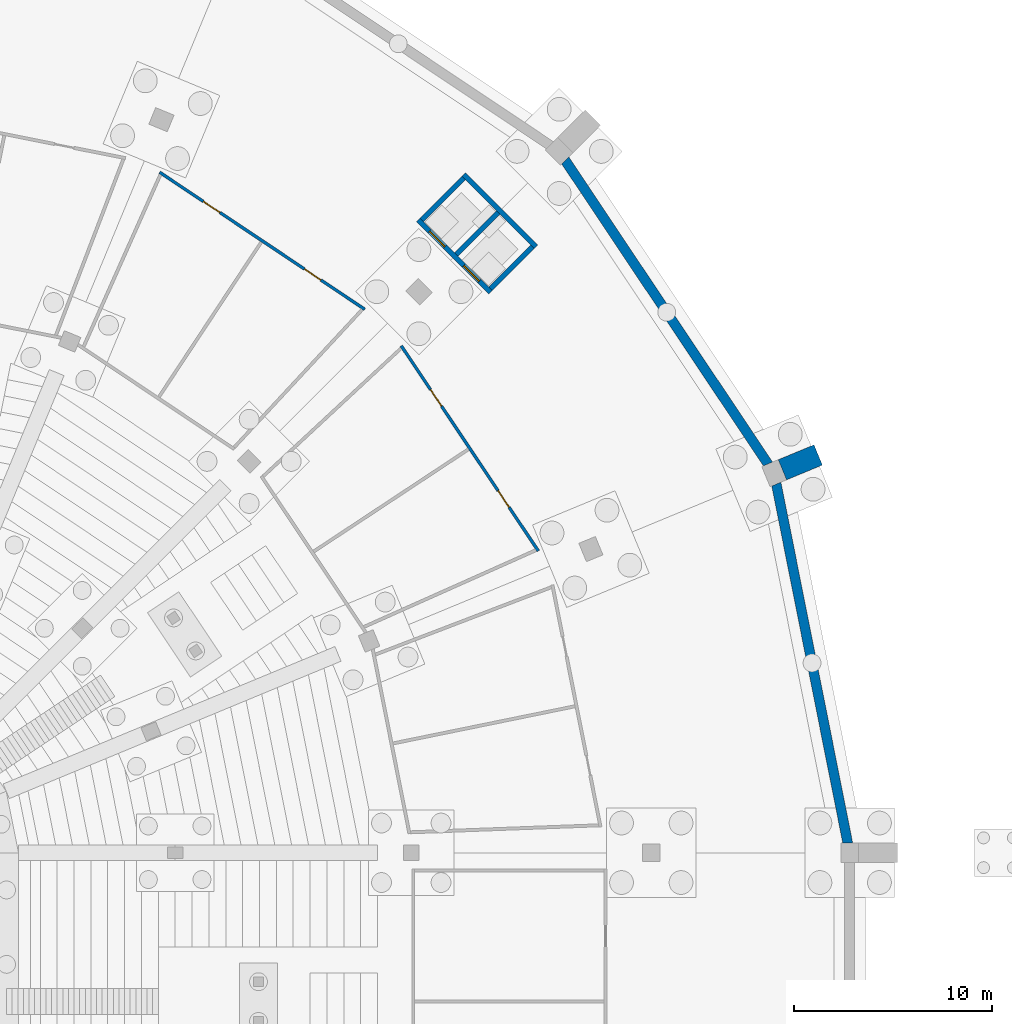
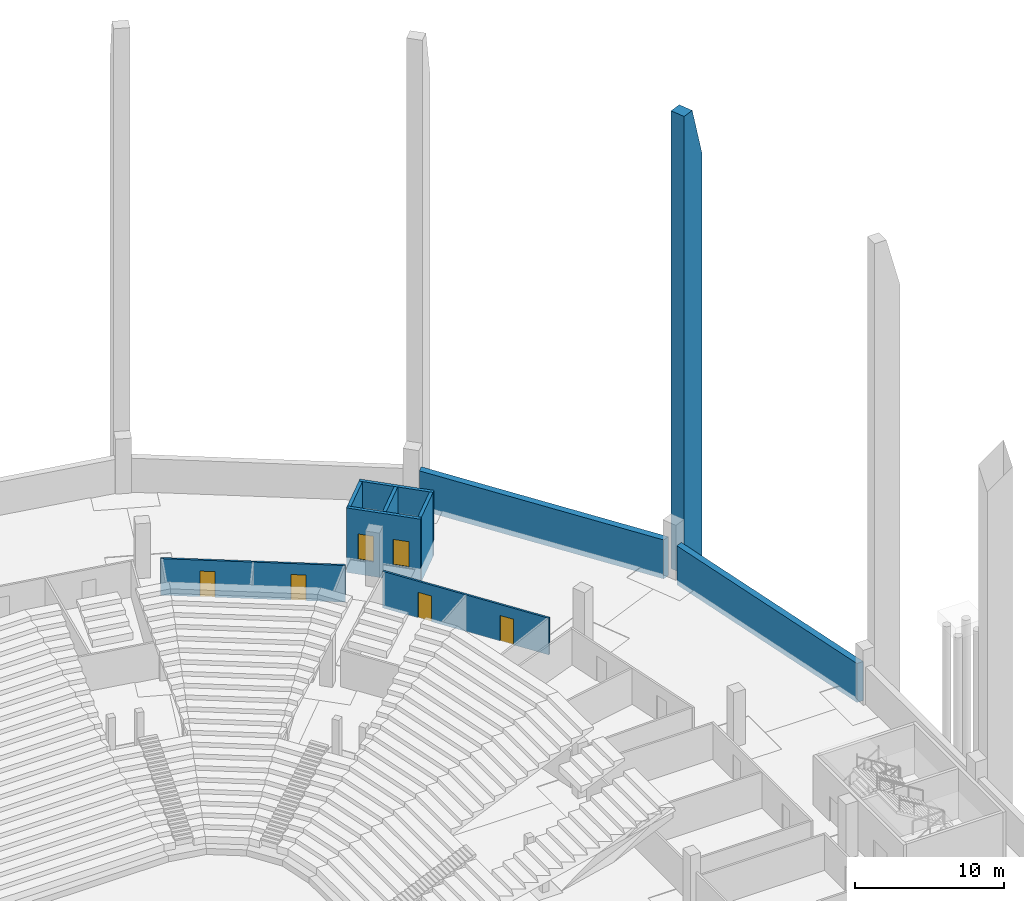
# One storey, part 39 of 115: 10 walls, 6 doors, 6 openings.
"""IFC4 building model written with IfcOpenShell, lengths in metres."""

from ifc_helpers import new_model, si_unit, direction, frame, frame_2d, origin, place, context, subcontext, project, spatial, polyline, rectangle, outline, extrude, material, layer, layer_set, type_object, element, fill, save


model = new_model("IFC4")

# Units and contexts
model_context = context("Model", 3, precision=1e-05, world=origin(), true_north=direction((0.0, 1.0)))
body_context = subcontext(model_context, "Body", "Model", "MODEL_VIEW")
ifc_project = project(units=[si_unit("LENGTHUNIT", "METRE"), si_unit("AREAUNIT", "SQUARE_METRE"), si_unit("VOLUMEUNIT", "CUBIC_METRE"), si_unit("PLANEANGLEUNIT", "RADIAN"), si_unit("MASSUNIT", "GRAM", prefix="KILO")], contexts=[model_context])

# Site, building, storey
site_placement = place(None, origin())
site = spatial("IfcSite", under=ifc_project, at=site_placement, CompositionType="ELEMENT")
building_placement = place(site_placement, origin())
building = spatial("IfcBuilding", under=site, at=building_placement, Name="Ogive Plaza Stadium", CompositionType="ELEMENT")
storey_placement = place(building_placement, frame((0.0, 0.0, -4.5)))
storey = spatial("IfcBuildingStorey", under=building, at=storey_placement, Name="B1", CompositionType="ELEMENT", Elevation=-4.5)

# Wall, openings, doors
ifc_material_1 = material(Name="Masonry blockwork", Category="masonry")
ifc_layer_1 = layer(ifc_material_1, 0.14990234375)
ifc_layer_set_1 = layer_set([ifc_layer_1], Name="Blockwork wall 150")
wall_type_1 = type_object("IfcWallType", Name="Blockwork wall 150", PredefinedType="SOLIDWALL", material=ifc_layer_set_1)
wall_1_placement = place(storey_placement, frame((49.21435546875, 86.80419921875, 0.0), z_axis=(0.0, 0.0, 1.0), x_axis=(0.831475975747, -0.555560709334, 0.0)))
wall_1 = element("IfcWall", 1, at=wall_1_placement, inside=storey, type_object=wall_type_1, Name="Wall B1 B38", PredefinedType="SOLIDWALL", context=body_context, shape_type="SweptSolid", body=[
    extrude(rectangle(XDim=12.435546875, YDim=0.14990234375, at=frame_2d((6.2177734375, 0.0))), origin(), (0.0, 0.0, 1.0), 3.0),
])
opening_1_placement = place(wall_1_placement, frame((2.65185546875, 0.0, 0.0)))
opening_1 = element("IfcOpeningElement", 2, at=opening_1_placement, cuts=wall_1, Name="Opening D0369", PredefinedType="OPENING", context=body_context, shape_type="SweptSolid", body=[
    extrude(rectangle(XDim=1.0, YDim=2.10009765625, at=frame_2d((0.5, 1.050048828125))), frame((0.0, 0.074951171875, 0.0), z_axis=(0.0, -1.0, 0.0), x_axis=(1.0, 0.0, 0.0)), (0.0, 0.0, 1.0), 0.14990234375),
])
opening_2_placement = place(wall_1_placement, frame((8.78369140625, 0.0, 0.0)))
opening_2 = element("IfcOpeningElement", 3, at=opening_2_placement, cuts=wall_1, Name="Opening D0370", PredefinedType="OPENING", context=body_context, shape_type="SweptSolid", body=[
    extrude(rectangle(XDim=1.0, YDim=2.10009765625, at=frame_2d((0.5, 1.050048828125))), frame((0.0, 0.074951171875, 0.0), z_axis=(0.0, -1.0, 0.0), x_axis=(1.0, 0.0, 0.0)), (0.0, 0.0, 1.0), 0.14990234375),
])
ifc_material_2 = material(Name="Steel ASTM A572 Grade 50", Category="steel")
door_type_1 = type_object("IfcDoorType", Name="Door 1000 x 2100", OperationType="SINGLE_SWING_LEFT", PredefinedType="DOOR", material=ifc_material_2)
door_1_placement = place(opening_2_placement, origin())
door_1 = element("IfcDoor", 4, at=door_1_placement, inside=storey, type_object=door_type_1, Name="Security Control Room B38 door", OperationType="SINGLE_SWING_RIGHT", OverallHeight=2.10009765625, OverallWidth=1.0, PredefinedType="DOOR", context=body_context, shape_type="SweptSolid", body=[
    extrude(rectangle(XDim=1.0, YDim=2.10009765625, at=frame_2d((0.5, 1.050048828125))), frame((0.0, 0.02490234375, 0.0), z_axis=(0.0, -1.0, 0.0), x_axis=(1.0, 0.0, 0.0)), (0.0, 0.0, 1.0), 0.050048828125),
])
fill(opening_2, door_1)
ifc_material_3 = material(Name="Steel ASTM A572 Grade 50", Category="steel")
door_type_2 = type_object("IfcDoorType", Name="Fire door FD60 1000 x 2100", OperationType="SINGLE_SWING_LEFT", PredefinedType="DOOR", material=ifc_material_3)
door_2_placement = place(opening_1_placement, origin())
door_2 = element("IfcDoor", 5, at=door_2_placement, inside=storey, type_object=door_type_2, Name="Refuse Store B38 door", OperationType="SINGLE_SWING_LEFT", OverallHeight=2.10009765625, OverallWidth=1.0, PredefinedType="DOOR", context=body_context, shape_type="SweptSolid", body=[
    extrude(rectangle(XDim=1.0, YDim=2.10009765625, at=frame_2d((0.5, 1.050048828125))), frame((0.0, 0.02490234375, 0.0), z_axis=(0.0, -1.0, 0.0), x_axis=(1.0, 0.0, 0.0)), (0.0, 0.0, 1.0), 0.050048828125),
])
fill(opening_1, door_2)

wall_2_placement = place(storey_placement, frame((68.30419921875, 67.71435546875, 0.0), z_axis=(0.0, 0.0, 1.0), x_axis=(-0.555560709334, 0.831475975747, 0.0)))
wall_2 = element("IfcWall", 6, at=wall_2_placement, inside=storey, type_object=wall_type_1, Name="Wall B1 B39", PredefinedType="SOLIDWALL", context=body_context, shape_type="SweptSolid", body=[
    extrude(rectangle(XDim=12.435546875, YDim=0.14990234375, at=frame_2d((6.2177734375, 0.0))), origin(), (0.0, 0.0, 1.0), 3.0),
])
opening_3_placement = place(wall_2_placement, frame((2.65185546875, 0.0, 0.0)))
opening_3 = element("IfcOpeningElement", 7, at=opening_3_placement, cuts=wall_2, Name="Opening D0371", PredefinedType="OPENING", context=body_context, shape_type="SweptSolid", body=[
    extrude(rectangle(XDim=1.0, YDim=2.10009765625, at=frame_2d((0.5, 1.050048828125))), frame((0.0, 0.074951171875, 0.0), z_axis=(0.0, -1.0, 0.0), x_axis=(1.0, 0.0, 0.0)), (0.0, 0.0, 1.0), 0.14990234375),
])
opening_4_placement = place(wall_2_placement, frame((8.78369140625, 0.0, 0.0)))
opening_4 = element("IfcOpeningElement", 8, at=opening_4_placement, cuts=wall_2, Name="Opening D0372", PredefinedType="OPENING", context=body_context, shape_type="SweptSolid", body=[
    extrude(rectangle(XDim=1.0, YDim=2.10009765625, at=frame_2d((0.5, 1.050048828125))), frame((0.0, 0.074951171875, 0.0), z_axis=(0.0, -1.0, 0.0), x_axis=(1.0, 0.0, 0.0)), (0.0, 0.0, 1.0), 0.14990234375),
])
door_3_placement = place(opening_3_placement, origin())
door_3 = element("IfcDoor", 9, at=door_3_placement, inside=storey, type_object=door_type_1, Name="Security Control Room B39 door", OperationType="SINGLE_SWING_RIGHT", OverallHeight=2.10009765625, OverallWidth=1.0, PredefinedType="DOOR", context=body_context, shape_type="SweptSolid", body=[
    extrude(rectangle(XDim=1.0, YDim=2.10009765625, at=frame_2d((0.5, 1.050048828125))), frame((0.0, 0.02490234375, 0.0), z_axis=(0.0, -1.0, 0.0), x_axis=(1.0, 0.0, 0.0)), (0.0, 0.0, 1.0), 0.050048828125),
])
fill(opening_3, door_3)
door_4_placement = place(opening_4_placement, origin())
door_4 = element("IfcDoor", 10, at=door_4_placement, inside=storey, type_object=door_type_2, Name="Kitchen Dry Store B39 door", OperationType="SINGLE_SWING_LEFT", OverallHeight=2.10009765625, OverallWidth=1.0, PredefinedType="DOOR", context=body_context, shape_type="SweptSolid", body=[
    extrude(rectangle(XDim=1.0, YDim=2.10009765625, at=frame_2d((0.5, 1.050048828125))), frame((0.0, 0.02490234375, 0.0), z_axis=(0.0, -1.0, 0.0), x_axis=(1.0, 0.0, 0.0)), (0.0, 0.0, 1.0), 0.050048828125),
])
fill(opening_4, door_4)

# Wall
ifc_material_4 = material(Name="Concrete C45/55 precast", Category="concrete")
ifc_layer_2 = layer(ifc_material_4, 1.050048828125)
ifc_material_5 = material(Name="Cast stone (reconstituted limestone)", Category="masonry")
ifc_layer_3 = layer(ifc_material_5, 0.050048828125)
ifc_layer_set_2 = layer_set([ifc_layer_2, ifc_layer_3], Name="Concrete C45/55 precast, cast stone facing")
wall_type_2 = type_object("IfcWallType", Name="Buttress pier 1100", PredefinedType="SOLIDWALL", material=ifc_layer_set_2)
wall_3_placement = place(storey_placement, frame((80.609619140625, 71.806396484375, 0.0), z_axis=(0.0, 0.0, 1.0), x_axis=(0.923919190445, 0.38258767561, 0.0)))
element("IfcWall", 11, at=wall_3_placement, inside=storey, type_object=wall_type_2, Name="BUTTRESS PIER R40", PredefinedType="SOLIDWALL", context=body_context, shape_type="SweptSolid", body=[
    extrude(outline(polyline([(0.0, 0.0), (1.9501953125, 0.0), (1.949951171875, 33.5), (0.89990234375, 37.5), (0.0, 37.5), (0.0, 0.0)])), frame((0.0, 0.550048828125, 0.0), z_axis=(0.0, -1.0, 0.0), x_axis=(1.0, 0.0, 0.0)), (0.0, 0.0, 1.0), 1.10009765625),
])

# Wall, openings, doors
ifc_material_6 = material(Name="Concrete C40/50", Category="concrete")
ifc_layer_4 = layer(ifc_material_6, 0.25)
ifc_layer_set_3 = layer_set([ifc_layer_4], Name="Concrete C40/50")
wall_type_3 = type_object("IfcWallType", Name="Core wall 250 A", PredefinedType="SHEAR", material=ifc_layer_set_3)
wall_4_placement = place(storey_placement, frame((65.890625, 80.7490234375, -1.199951171875), z_axis=(0.0, 0.0, 1.0), x_axis=(-0.707106781187, 0.707106781187, 0.0)))
wall_4 = element("IfcWall", 12, at=wall_4_placement, inside=storey, type_object=wall_type_3, Name="Lift core LP39 landing wall", PredefinedType="SHEAR", context=body_context, shape_type="SweptSolid", body=[
    extrude(rectangle(XDim=5.14990234375, YDim=0.25, at=frame_2d((2.574951171875, 0.0))), origin(), (0.0, 0.0, 1.0), 5.2900390625),
])
opening_5_placement = place(wall_4_placement, frame((0.800048828125, 0.0, 1.199951171875)))
opening_5 = element("IfcOpeningElement", 13, at=opening_5_placement, cuts=wall_4, Name="Opening LD091", PredefinedType="OPENING", context=body_context, shape_type="SweptSolid", body=[
    extrude(rectangle(XDim=1.10009765625, YDim=2.10009765625, at=frame_2d((0.550048828125, 1.050048828125))), frame((0.0, 0.125, 0.0), z_axis=(0.0, -1.0, 0.0), x_axis=(1.0, 0.0, 0.0)), (0.0, 0.0, 1.0), 0.25),
])
opening_6_placement = place(wall_4_placement, frame((3.25, 0.0, 1.199951171875)))
opening_6 = element("IfcOpeningElement", 14, at=opening_6_placement, cuts=wall_4, Name="Opening LD092", PredefinedType="OPENING", context=body_context, shape_type="SweptSolid", body=[
    extrude(rectangle(XDim=1.10009765625, YDim=2.10009765625, at=frame_2d((0.550048828125, 1.050048828125))), frame((0.0, 0.125, 0.0), z_axis=(0.0, -1.0, 0.0), x_axis=(1.0, 0.0, 0.0)), (0.0, 0.0, 1.0), 0.25),
])
ifc_material_7 = material(Name="Steel ASTM A572 Grade 50", Category="steel")
door_type_3 = type_object("IfcDoorType", Name="Landing door 1100 x 2100", OperationType="SLIDING_TO_LEFT", PredefinedType="DOOR", material=ifc_material_7)
door_5_placement = place(opening_5_placement, origin())
door_5 = element("IfcDoor", 15, at=door_5_placement, inside=storey, type_object=door_type_3, Name="Lift landing door LP39 B1", OperationType="SLIDING_TO_LEFT", OverallHeight=2.10009765625, OverallWidth=1.10009765625, PredefinedType="DOOR", context=body_context, shape_type="SweptSolid", body=[
    extrude(rectangle(XDim=1.10009765625, YDim=2.10009765625, at=frame_2d((0.550048828125, 1.050048828125))), frame((0.0, 0.02490234375, 0.0), z_axis=(0.0, -1.0, 0.0), x_axis=(1.0, 0.0, 0.0)), (0.0, 0.0, 1.0), 0.050048828125),
])
fill(opening_5, door_5)
door_6_placement = place(opening_6_placement, origin())
door_6 = element("IfcDoor", 16, at=door_6_placement, inside=storey, type_object=door_type_3, Name="Lift landing door LP39 B1", OperationType="SLIDING_TO_LEFT", OverallHeight=2.10009765625, OverallWidth=1.10009765625, PredefinedType="DOOR", context=body_context, shape_type="SweptSolid", body=[
    extrude(rectangle(XDim=1.10009765625, YDim=2.10009765625, at=frame_2d((0.550048828125, 1.050048828125))), frame((0.0, 0.02490234375, 0.0), z_axis=(0.0, -1.0, 0.0), x_axis=(1.0, 0.0, 0.0)), (0.0, 0.0, 1.0), 0.050048828125),
])
fill(opening_6, door_6)

# Walls
wall_5_placement = place(storey_placement, frame((68.188720703125, 83.047119140625, -1.199951171875), z_axis=(0.0, 0.0, 1.0), x_axis=(-0.707106781187, 0.707106781187, 0.0)))
element("IfcWall", 17, at=wall_5_placement, inside=storey, type_object=wall_type_3, Name="Lift core LP39 rear wall", PredefinedType="SHEAR", context=body_context, shape_type="SweptSolid", body=[
    extrude(rectangle(XDim=5.14990234375, YDim=0.25, at=frame_2d((2.574951171875, 0.0))), origin(), (0.0, 0.0, 1.0), 5.2900390625),
])
for number, where, z_axis, x_axis, name in (
    (18, (65.890625, 80.92578125, -1.199951171875), (0.0, 0.0, 1.0), (0.707066087907, 0.707147472125, 0.0), "Lift core LP39 side wall"),
    (19, (62.42578125, 84.390625, -1.199951171875), (0.0, 0.0, 1.0), (0.707147472125, 0.707066087907, 0.0), "Lift core LP39 side wall"),
):
    element("IfcWall", number, at=place(storey_placement, frame(where, z_axis=z_axis, x_axis=x_axis)), inside=storey, type_object=wall_type_3, Name=name, PredefinedType="SHEAR", context=body_context, shape_type="SweptSolid", body=[
        extrude(rectangle(XDim=2.999755859375, YDim=0.25, at=frame_2d((1.5, 0.0))), origin(), (0.0, 0.0, 1.0), 5.2900390625),
    ])
wall_6_placement = place(storey_placement, frame((64.158203125, 82.658203125, -1.199951171875), z_axis=(0.0, 0.0, 1.0), x_axis=(0.707106781187, 0.707106781187, 0.0)))
element("IfcWall", 20, at=wall_6_placement, inside=storey, type_object=wall_type_3, Name="Lift core LP39 centre wall", PredefinedType="SHEAR", context=body_context, shape_type="SweptSolid", body=[
    extrude(rectangle(XDim=3.0, YDim=0.25, at=frame_2d((1.5, 0.0))), origin(), (0.0, 0.0, 1.0), 5.2900390625),
])
ifc_material_8 = material(Name="Concrete C40/50", Category="concrete")
ifc_layer_5 = layer(ifc_material_8, 0.5)
ifc_layer_set_4 = layer_set([ifc_layer_5], Name="Concrete C40/50")
wall_type_4 = type_object("IfcWallType", Name="RC retaining wall 500 A", PredefinedType="SOLIDWALL", material=ifc_layer_set_4)
wall_7_placement = place(storey_placement, frame((0.0, 0.0, -0.39990234375)))
element("IfcWall", 21, at=wall_7_placement, inside=storey, type_object=wall_type_4, Name="Retaining wall B39", PredefinedType="SOLIDWALL", context=body_context, shape_type="SweptSolid", body=[
    extrude(outline(polyline([(79.6513671875, 72.0048828125), (80.11328125, 72.196044921875), (69.84375, 87.56591796875), (69.489990234375, 87.21240234375), (79.6513671875, 72.0048828125)])), origin(), (0.0, 0.0, 1.0), 3.18994140625),
])
wall_8_placement = place(storey_placement, frame((0.0, 0.0, -0.39990234375)))
element("IfcWall", 22, at=wall_8_placement, inside=storey, type_object=wall_type_4, Name="Retaining wall B40", PredefinedType="SOLIDWALL", context=body_context, shape_type="SweptSolid", body=[
    extrude(outline(polyline([(83.650634765625, 53.0), (84.150634765625, 53.0), (80.534423828125, 71.179931640625), (80.072509765625, 70.988525390625), (83.650634765625, 53.0)])), origin(), (0.0, 0.0, 1.0), 3.18994140625),
])

save(model, "model.ifc")
